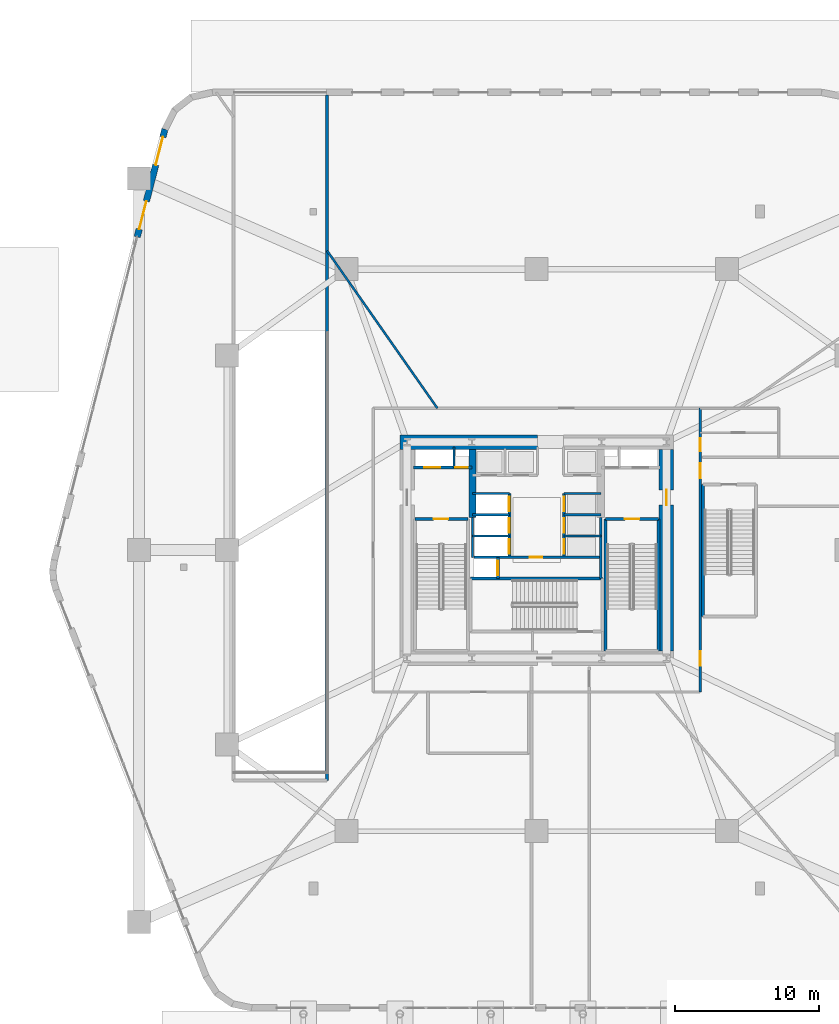
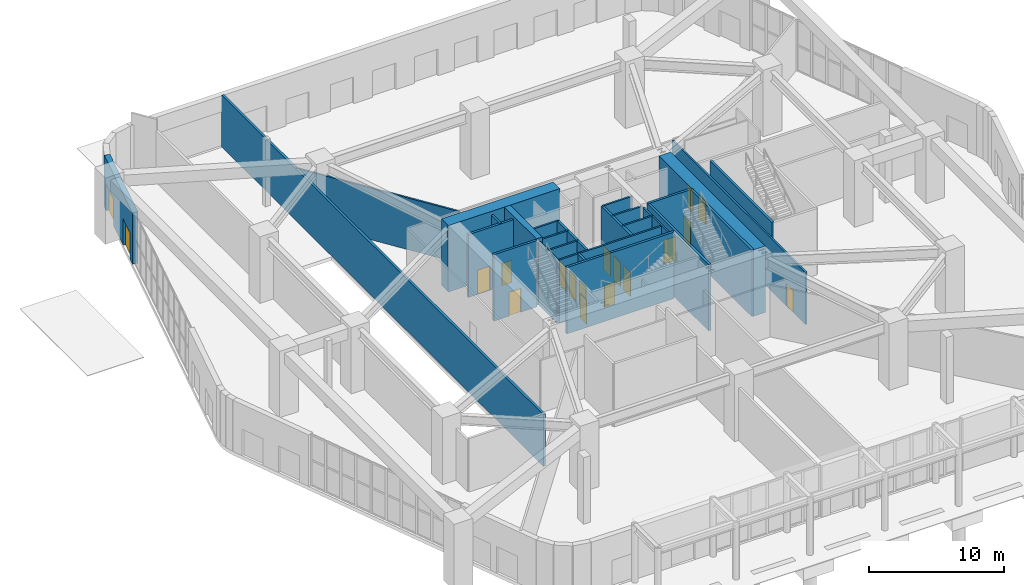
# One storey, part 25 of 35: 27 walls, 18 doors, 18 openings.
"""IFC4 building model written with IfcOpenShell, lengths in metres."""

from ifc_helpers import new_model, si_unit, direction, frame, frame_2d, origin, place, context, subcontext, project, spatial, rectangle, extrude, material, layer, layer_set, type_object, element, fill, save


model = new_model("IFC4")

# Units and contexts
model_context = context("Model", 3, precision=1e-05, world=origin(), true_north=direction((0.0, 1.0)))
body_context = subcontext(model_context, "Body", "Model", "MODEL_VIEW")
ifc_project = project(units=[si_unit("LENGTHUNIT", "METRE"), si_unit("AREAUNIT", "SQUARE_METRE"), si_unit("VOLUMEUNIT", "CUBIC_METRE"), si_unit("PLANEANGLEUNIT", "RADIAN"), si_unit("MASSUNIT", "GRAM", prefix="KILO")], contexts=[model_context])

# Site, building, storey
site_placement = place(None, origin())
site = spatial("IfcSite", under=ifc_project, at=site_placement, CompositionType="ELEMENT")
building_placement = place(site_placement, origin())
building = spatial("IfcBuilding", under=site, at=building_placement, Name="Kilnhurst Terrace Hotel", CompositionType="ELEMENT")
storey_placement = place(building_placement, origin())
storey = spatial("IfcBuildingStorey", under=building, at=storey_placement, Name="L00", CompositionType="ELEMENT", Elevation=0.0)

# Wall, openings, doors
ifc_material_1 = material(Name="Precast concrete C40/50", Category="concrete")
ifc_layer_1 = layer(ifc_material_1, 0.449951171875, Name="Precast concrete C40/50")
ifc_layer_set_1 = layer_set([ifc_layer_1], Name="Precast concrete C40/50")
wall_type_1 = type_object("IfcWallType", Name="WL-BRK-450", PredefinedType="SOLIDWALL", material=ifc_layer_set_1)
wall_1_placement = place(storey_placement, frame((-25.81298828125, 29.215576171875, 0.0), z_axis=(0.0, 0.0, 1.0), x_axis=(-0.248723131147, -0.968574624917, 0.0)))
wall_1 = element("IfcWall", 1, at=wall_1_placement, inside=storey, type_object=wall_type_1, Name="L00 Face 5 Brick Pier 1", PredefinedType="SOLIDWALL", context=body_context, shape_type="SweptSolid", body=[
    extrude(rectangle(XDim=7.718017578125, YDim=0.449951171875, at=frame_2d((3.85888671875, 0.0))), origin(), (0.0, 0.0, 1.0), 4.64990234375),
])
opening_1_placement = place(wall_1_placement, frame((0.556884765625, 0.0, 0.0)))
opening_1 = element("IfcOpeningElement", 2, at=opening_1_placement, cuts=wall_1, Name="Opening ED-20", PredefinedType="OPENING", context=body_context, shape_type="SweptSolid", body=[
    extrude(rectangle(XDim=2.0, YDim=2.39990234375, at=frame_2d((1.0, 1.199951171875))), frame((0.0, 0.23486328125, 0.0), z_axis=(0.0, -1.0, 0.0), x_axis=(1.0, 0.0, 0.0)), (0.0, 0.0, 1.0), 0.469970703125),
])
opening_2_placement = place(wall_1_placement, frame((5.160888671875, 0.0, 0.0)))
opening_2 = element("IfcOpeningElement", 3, at=opening_2_placement, cuts=wall_1, Name="Opening ED-21", PredefinedType="OPENING", context=body_context, shape_type="SweptSolid", body=[
    extrude(rectangle(XDim=2.0, YDim=2.39990234375, at=frame_2d((1.0, 1.199951171875))), frame((0.0, 0.23486328125, 0.0), z_axis=(0.0, -1.0, 0.0), x_axis=(1.0, 0.0, 0.0)), (0.0, 0.0, 1.0), 0.469970703125),
])
ifc_material_2 = material(Name="Thermally Broken Bronze Aluminium Alloy 6063-T6 and Laminated Glass", Category="aluminium")
door_type_1 = type_object("IfcDoorType", Name="DR-EXT-EXIT-2000", OperationType="NOTDEFINED", PredefinedType="DOOR", material=ifc_material_2)
door_1_placement = place(opening_1_placement, origin())
door_1 = element("IfcDoor", 4, at=door_1_placement, inside=storey, type_object=door_type_1, Name="L00 Street Exit Door ED-20", OperationType="DOUBLE_SWING_LEFT", OverallHeight=2.39990234375, OverallWidth=2.0, PredefinedType="DOOR", context=body_context, shape_type="SweptSolid", body=[
    extrude(rectangle(XDim=2.0, YDim=2.39990234375, at=frame_2d((1.0, 1.199951171875))), frame((0.0, 0.02490234375, 0.0), z_axis=(0.0, -1.0, 0.0), x_axis=(1.0, 0.0, 0.0)), (0.0, 0.0, 1.0), 0.050048828125),
])
fill(opening_1, door_1)
door_2_placement = place(opening_2_placement, origin())
door_2 = element("IfcDoor", 5, at=door_2_placement, inside=storey, type_object=door_type_1, Name="L00 Street Exit Door ED-21", OperationType="DOUBLE_SWING_LEFT", OverallHeight=2.39990234375, OverallWidth=2.0, PredefinedType="DOOR", context=body_context, shape_type="SweptSolid", body=[
    extrude(rectangle(XDim=2.0, YDim=2.39990234375, at=frame_2d((1.0, 1.199951171875))), frame((0.0, 0.02490234375, 0.0), z_axis=(0.0, -1.0, 0.0), x_axis=(1.0, 0.0, 0.0)), (0.0, 0.0, 1.0), 0.050048828125),
])
fill(opening_2, door_2)

ifc_material_3 = material(Name="Acoustic Double-Gypsum Corridor Partition Assembly")
ifc_layer_2 = layer(ifc_material_3, 0.14990234375, Name="Acoustic Double-Gypsum Corridor Partition Assembly")
ifc_layer_set_2 = layer_set([ifc_layer_2], Name="Acoustic Double-Gypsum Corridor Partition Assembly")
wall_type_2 = type_object("IfcWallType", Name="WL-COR-150", PredefinedType="PARTITIONING", material=ifc_layer_set_2)
wall_2_placement = place(storey_placement, frame((11.35009765625, 9.85009765625, 0.0), z_axis=(0.0, 0.0, 1.0), x_axis=(0.0, -1.0, 0.0)))
wall_2 = element("IfcWall", 6, at=wall_2_placement, inside=storey, type_object=wall_type_2, Name="L00 Interior Wall WL-L00-COR-03", PredefinedType="PARTITIONING", context=body_context, shape_type="SweptSolid", body=[
    extrude(rectangle(XDim=19.7001953125, YDim=0.14990234375, at=frame_2d((9.85009765625, 0.0))), origin(), (0.0, 0.0, 1.0), 4.721923828125),
])
opening_3_placement = place(wall_2_placement, frame((3.824951171875, 0.0, 0.0)))
opening_3 = element("IfcOpeningElement", 7, at=opening_3_placement, cuts=wall_2, Name="Opening D-90A", PredefinedType="OPENING", context=body_context, shape_type="SweptSolid", body=[
    extrude(rectangle(XDim=1.050048828125, YDim=2.14990234375, at=frame_2d((0.52490234375, 1.074951171875))), frame((0.0, 0.0849609375, 0.0), z_axis=(0.0, -1.0, 0.0), x_axis=(1.0, 0.0, 0.0)), (0.0, 0.0, 1.0), 0.169921875),
])
opening_4_placement = place(wall_2_placement, frame((2.10009765625, 0.0, 0.0)))
opening_4 = element("IfcOpeningElement", 8, at=opening_4_placement, cuts=wall_2, Name="Opening D-09B", PredefinedType="OPENING", context=body_context, shape_type="SweptSolid", body=[
    extrude(rectangle(XDim=0.89990234375, YDim=2.030029296875, at=frame_2d((0.449951171875, 1.01513671875))), frame((0.0, 0.0849609375, 0.0), z_axis=(0.0, -1.0, 0.0), x_axis=(1.0, 0.0, 0.0)), (0.0, 0.0, 1.0), 0.169921875),
])
opening_5_placement = place(wall_2_placement, frame((16.875, 0.0, 0.0)))
opening_5 = element("IfcOpeningElement", 9, at=opening_5_placement, cuts=wall_2, Name="Opening D-10A", PredefinedType="OPENING", context=body_context, shape_type="SweptSolid", body=[
    extrude(rectangle(XDim=1.0, YDim=2.030029296875, at=frame_2d((0.5, 1.01513671875))), frame((0.0, 0.0849609375, 0.0), z_axis=(0.0, -1.0, 0.0), x_axis=(1.0, 0.0, 0.0)), (0.0, 0.0, 1.0), 0.169921875),
])
ifc_material_4 = material(Name="Painted Hollow Metal Steel ASTM A36 Fire Door", Category="steel")
door_type_2 = type_object("IfcDoorType", Name="DR-FD90-1050", OperationType="NOTDEFINED", PredefinedType="DOOR", material=ifc_material_4)
door_3_placement = place(opening_3_placement, origin())
door_3 = element("IfcDoor", 10, at=door_3_placement, inside=storey, type_object=door_type_2, Name="L00 East Exit Passageway Door", OperationType="SINGLE_SWING_RIGHT", OverallHeight=2.14990234375, OverallWidth=1.050048828125, PredefinedType="DOOR", context=body_context, shape_type="SweptSolid", body=[
    extrude(rectangle(XDim=1.050048828125, YDim=2.14990234375, at=frame_2d((0.52490234375, 1.074951171875))), frame((0.0, 0.02490234375, 0.0), z_axis=(0.0, -1.0, 0.0), x_axis=(1.0, 0.0, 0.0)), (0.0, 0.0, 1.0), 0.050048828125),
])
fill(opening_3, door_3)
ifc_material_5 = material(Name="Solid-Core American White Oak Interior Door")
door_type_3 = type_object("IfcDoorType", Name="DR-INT-1000", OperationType="NOTDEFINED", PredefinedType="DOOR", material=ifc_material_5)
door_4_placement = place(opening_5_placement, origin())
door_4 = element("IfcDoor", 11, at=door_4_placement, inside=storey, type_object=door_type_3, Name="L00 Lobby Espresso Bar and Retail Boutique Door", OperationType="SINGLE_SWING_RIGHT", OverallHeight=2.030029296875, OverallWidth=1.0, PredefinedType="DOOR", context=body_context, shape_type="SweptSolid", body=[
    extrude(rectangle(XDim=1.0, YDim=2.030029296875, at=frame_2d((0.5, 1.01513671875))), frame((0.0, 0.02490234375, 0.0), z_axis=(0.0, -1.0, 0.0), x_axis=(1.0, 0.0, 0.0)), (0.0, 0.0, 1.0), 0.050048828125),
])
fill(opening_5, door_4)
ifc_material_6 = material(Name="Moisture-Resistant Solid-Core Restroom Door")
door_type_4 = type_object("IfcDoorType", Name="DR-INT-900", OperationType="NOTDEFINED", PredefinedType="DOOR", material=ifc_material_6)
door_5_placement = place(opening_4_placement, origin())
door_5 = element("IfcDoor", 12, at=door_5_placement, inside=storey, type_object=door_type_4, Name="L00 Public Restrooms Door", OperationType="SINGLE_SWING_LEFT", OverallHeight=2.030029296875, OverallWidth=0.89990234375, PredefinedType="DOOR", context=body_context, shape_type="SweptSolid", body=[
    extrude(rectangle(XDim=0.89990234375, YDim=2.030029296875, at=frame_2d((0.449951171875, 1.01513671875))), frame((0.0, 0.02490234375, 0.0), z_axis=(0.0, -1.0, 0.0), x_axis=(1.0, 0.0, 0.0)), (0.0, 0.0, 1.0), 0.050048828125),
])
fill(opening_4, door_5)

# Wall
ifc_material_7 = material(Name="Concrete C80/95", Category="concrete")
ifc_layer_3 = layer(ifc_material_7, 1.0, Name="Concrete C80/95")
ifc_layer_set_3 = layer_set([ifc_layer_3], Name="Concrete C80/95")
wall_type_3 = type_object("IfcWallType", Name="WL-CORE-1000", PredefinedType="SHEAR", material=ifc_layer_set_3)
wall_3_placement = place(storey_placement, frame((-9.5, 7.5, 0.0), z_axis=(0.0, 0.0, 1.0), x_axis=(1.0, 0.0, 0.0)))
element("IfcWall", 13, at=wall_3_placement, inside=storey, type_object=wall_type_3, Name="L00 Core North West Shear Wall", PredefinedType="SHEAR", context=body_context, shape_type="SweptSolid", body=[
    extrude(rectangle(XDim=9.550048828125, YDim=1.0, at=frame_2d((4.77490234375, 0.0))), origin(), (0.0, 0.0, 1.0), 6.0),
])

# Wall, opening, door
wall_4_placement = place(storey_placement, frame((9.0, -7.0, 0.0), z_axis=(0.0, 0.0, 1.0), x_axis=(0.0, 1.0, 0.0)))
wall_4 = element("IfcWall", 14, at=wall_4_placement, inside=storey, type_object=wall_type_3, Name="L00 Core East Shear Wall", PredefinedType="SHEAR", context=body_context, shape_type="SweptSolid", body=[
    extrude(rectangle(XDim=14.0, YDim=1.0, at=frame_2d((7.0, 0.0))), origin(), (0.0, 0.0, 1.0), 6.0),
])
opening_6_placement = place(wall_4_placement, frame((10.125, 0.0, 0.0)))
opening_6 = element("IfcOpeningElement", 15, at=opening_6_placement, cuts=wall_4, Name="Opening D-90A", PredefinedType="OPENING", context=body_context, shape_type="SweptSolid", body=[
    extrude(rectangle(XDim=1.050048828125, YDim=2.14990234375, at=frame_2d((0.52490234375, 1.074951171875))), frame((0.0, 0.510009765625, 0.0), z_axis=(0.0, -1.0, 0.0), x_axis=(1.0, 0.0, 0.0)), (0.0, 0.0, 1.0), 1.02001953125),
])
door_6_placement = place(opening_6_placement, origin())
door_6 = element("IfcDoor", 16, at=door_6_placement, inside=storey, type_object=door_type_2, Name="L00 East Firefighting Lobby Door", OperationType="SINGLE_SWING_LEFT", OverallHeight=2.14990234375, OverallWidth=1.050048828125, PredefinedType="DOOR", context=body_context, shape_type="SweptSolid", body=[
    extrude(rectangle(XDim=1.050048828125, YDim=2.14990234375, at=frame_2d((0.52490234375, 1.074951171875))), frame((0.0, 0.02490234375, 0.0), z_axis=(0.0, -1.0, 0.0), x_axis=(1.0, 0.0, 0.0)), (0.0, 0.0, 1.0), 0.050048828125),
])
fill(opening_6, door_6)

# Walls
ifc_material_8 = material(Name="Concrete C60/75", Category="concrete")
ifc_layer_4 = layer(ifc_material_8, 0.5, Name="Concrete C60/75")
ifc_layer_set_4 = layer_set([ifc_layer_4], Name="Concrete C60/75")
wall_type_4 = type_object("IfcWallType", Name="WL-CORE-WEB-500", PredefinedType="SHEAR", material=ifc_layer_set_4)
wall_5_placement = place(storey_placement, frame((-4.449951171875, 2.25, 0.0), z_axis=(0.0, 0.0, 1.0), x_axis=(0.0, 1.0, 0.0)))
element("IfcWall", 17, at=wall_5_placement, inside=storey, type_object=wall_type_4, Name="L00 Core Internal West Shear Web", PredefinedType="SHEAR", context=body_context, shape_type="SweptSolid", body=[
    extrude(rectangle(XDim=4.75, YDim=0.5, at=frame_2d((2.375, 0.0))), origin(), (0.0, 0.0, 1.0), 6.0),
])
ifc_material_9 = material(Name="150 mm Acoustic Gypsum Hospitality Partition")
ifc_layer_5 = layer(ifc_material_9, 0.14990234375, Name="150 mm Acoustic Gypsum Hospitality Partition")
ifc_layer_set_5 = layer_set([ifc_layer_5], Name="150 mm Acoustic Gypsum Hospitality Partition")
wall_type_5 = type_object("IfcWallType", Name="WL-PART-150", PredefinedType="PARTITIONING", material=ifc_layer_set_5)
wall_6_placement = place(storey_placement, frame((-6.89697265625, 9.85009765625, 0.0), z_axis=(0.0, 0.0, 1.0), x_axis=(-0.57358637099, 0.81914508789, 0.0)))
element("IfcWall", 18, at=wall_6_placement, inside=storey, type_object=wall_type_5, Name="L00 Interior Wall WL-L00-PDIV-4-1", PredefinedType="PARTITIONING", context=body_context, shape_type="SweptSolid", body=[
    extrude(rectangle(XDim=13.342529296875, YDim=0.14990234375, at=frame_2d((6.67138671875, 0.0))), origin(), (0.0, 0.0, 1.0), 4.669921875),
])
ifc_material_10 = material(Name="Fire-Rated Gypsum Shaftliner Assembly")
ifc_layer_6 = layer(ifc_material_10, 0.14990234375, Name="Fire-Rated Gypsum Shaftliner Assembly")
ifc_layer_set_6 = layer_set([ifc_layer_6], Name="Fire-Rated Gypsum Shaftliner Assembly")
wall_type_6 = type_object("IfcWallType", Name="WL-SHAFT-150", PredefinedType="PARTITIONING", material=ifc_layer_set_6)
wall_7_placement = place(storey_placement, frame((-5.75, 5.739990234375, 0.0), z_axis=(0.0, 0.0, 1.0), x_axis=(0.0, 1.0, 0.0)))
element("IfcWall", 19, at=wall_7_placement, inside=storey, type_object=wall_type_6, Name="L00 Interior Wall WL-L00-RIS1-DIV", PredefinedType="PARTITIONING", context=body_context, shape_type="SweptSolid", body=[
    extrude(rectangle(XDim=1.409912109375, YDim=0.14990234375, at=frame_2d((0.705078125, 0.0))), origin(), (0.0, 0.0, 1.0), 5.679931640625),
])
wall_8_placement = place(storey_placement, frame((-4.449951171875, -0.5, 0.0), z_axis=(0.0, 0.0, 1.0), x_axis=(0.0, 1.0, 0.0)))
element("IfcWall", 20, at=wall_8_placement, inside=storey, type_object=wall_type_6, Name="L00 Interior Wall WL-L00-XLOB-W", PredefinedType="PARTITIONING", context=body_context, shape_type="SweptSolid", body=[
    extrude(rectangle(XDim=2.75, YDim=0.14990234375, at=frame_2d((1.375, 0.0))), origin(), (0.0, 0.0, 1.0), 5.679931640625),
])
wall_9_placement = place(storey_placement, frame((4.449951171875, -1.971923828125, 0.0), z_axis=(0.0, 0.0, 1.0), x_axis=(0.0, 1.0, 0.0)))
element("IfcWall", 21, at=wall_9_placement, inside=storey, type_object=wall_type_6, Name="L00 Interior Wall WL-L00-XLOB-E", PredefinedType="PARTITIONING", context=body_context, shape_type="SweptSolid", body=[
    extrude(rectangle(XDim=4.221923828125, YDim=0.14990234375, at=frame_2d((2.11083984375, 0.0))), origin(), (0.0, 0.0, 1.0), 5.679931640625),
])
for number, where, z_axis, x_axis, name in (
    (22, (-4.449951171875, 3.93994140625, 0.0), (0.0, 0.0, 1.0), (1.0, 0.0, 0.0), "L00 Interior Wall WL-L00-LR-NORTH"),
    (23, (-4.449951171875, 0.97998046875, 0.0), (0.0, 0.0, 1.0), (1.0, 0.0, 0.0), "L00 Interior Wall WL-L00-LR-D1"),
    (24, (-4.449951171875, 2.4599609375, 0.0), (0.0, 0.0, 1.0), (1.0, 0.0, 0.0), "L00 Interior Wall WL-L00-LR-D2"),
    (25, (1.89990234375, 3.93994140625, 0.0), (0.0, 0.0, 1.0), (1.0, 0.0, 0.0), "L00 Interior Wall WL-L00-MR-NORTH"),
    (26, (1.89990234375, 0.97998046875, 0.0), (0.0, 0.0, 1.0), (1.0, 0.0, 0.0), "L00 Interior Wall WL-L00-MR-D1"),
    (27, (1.89990234375, 2.4599609375, 0.0), (0.0, 0.0, 1.0), (1.0, 0.0, 0.0), "L00 Interior Wall WL-L00-MR-D2"),
):
    element("IfcWall", number, at=place(storey_placement, frame(where, z_axis=z_axis, x_axis=x_axis)), inside=storey, type_object=wall_type_6, Name=name, PredefinedType="PARTITIONING", context=body_context, shape_type="SweptSolid", body=[
        extrude(rectangle(XDim=2.550048828125, YDim=0.14990234375, at=frame_2d((1.27490234375, 0.0))), origin(), (0.0, 0.0, 1.0), 5.679931640625),
    ])

# Wall, opening, door
wall_10_placement = place(storey_placement, frame((-4.360107421875, -0.489990234375, 0.0), z_axis=(0.0, 0.0, 1.0), x_axis=(1.0, 0.0, 0.0)))
wall_10 = element("IfcWall", 28, at=wall_10_placement, inside=storey, type_object=wall_type_6, Name="L00 Interior Wall WL-L00-BOH-N", PredefinedType="PARTITIONING", context=body_context, shape_type="SweptSolid", body=[
    extrude(rectangle(XDim=8.72021484375, YDim=0.14990234375, at=frame_2d((4.360107421875, 0.0))), origin(), (0.0, 0.0, 1.0), 5.679931640625),
])
opening_7_placement = place(wall_10_placement, frame((3.860107421875, 0.0, 0.0)))
opening_7 = element("IfcOpeningElement", 29, at=opening_7_placement, cuts=wall_10, Name="Opening D-60C", PredefinedType="OPENING", context=body_context, shape_type="SweptSolid", body=[
    extrude(rectangle(XDim=0.89990234375, YDim=2.030029296875, at=frame_2d((0.449951171875, 1.01513671875))), frame((0.0, 0.0849609375, 0.0), z_axis=(0.0, -1.0, 0.0), x_axis=(1.0, 0.0, 0.0)), (0.0, 0.0, 1.0), 0.169921875),
])
ifc_material_11 = material(Name="Painted Solid-Core Service Fire Door")
door_type_5 = type_object("IfcDoorType", Name="DR-FD60-900", OperationType="NOTDEFINED", PredefinedType="DOOR", material=ifc_material_11)
door_7_placement = place(opening_7_placement, origin())
door_7 = element("IfcDoor", 30, at=door_7_placement, inside=storey, type_object=door_type_5, Name="L00 Housekeeping Laundry Door", OperationType="SINGLE_SWING_LEFT", OverallHeight=2.030029296875, OverallWidth=0.89990234375, PredefinedType="DOOR", context=body_context, shape_type="SweptSolid", body=[
    extrude(rectangle(XDim=0.89990234375, YDim=2.030029296875, at=frame_2d((0.449951171875, 1.01513671875))), frame((0.0, 0.02490234375, 0.0), z_axis=(0.0, -1.0, 0.0), x_axis=(1.0, 0.0, 0.0)), (0.0, 0.0, 1.0), 0.050048828125),
])
fill(opening_7, door_7)

# Wall, openings, doors
ifc_material_12 = material(Name="Autoclaved Aerated Concrete C30/37 and Gypsum Shaft Assembly", Category="concrete")
ifc_layer_7 = layer(ifc_material_12, 0.199951171875, Name="Autoclaved Aerated Concrete C30/37 and Gypsum Shaft Assembly")
ifc_layer_set_7 = layer_set([ifc_layer_7], Name="Autoclaved Aerated Concrete C30/37 and Gypsum Shaft Assembly")
wall_type_7 = type_object("IfcWallType", Name="WL-SHAFT-200", PredefinedType="PARTITIONING", material=ifc_layer_set_7)
wall_11_placement = place(storey_placement, frame((-8.550048828125, 5.739990234375, 0.0), z_axis=(0.0, 0.0, 1.0), x_axis=(1.0, 0.0, 0.0)))
wall_11 = element("IfcWall", 31, at=wall_11_placement, inside=storey, type_object=wall_type_7, Name="L00 Interior Wall WL-L00-FSAE1-S", PredefinedType="PARTITIONING", context=body_context, shape_type="SweptSolid", body=[
    extrude(rectangle(XDim=4.050048828125, YDim=0.199951171875, at=frame_2d((2.02490234375, 0.0))), origin(), (0.0, 0.0, 1.0), 5.679931640625),
])
opening_8_placement = place(wall_11_placement, frame((0.75, 0.0, 0.0)))
opening_8 = element("IfcOpeningElement", 32, at=opening_8_placement, cuts=wall_11, Name="Opening LD-F1", PredefinedType="OPENING", context=body_context, shape_type="SweptSolid", body=[
    extrude(rectangle(XDim=1.10009765625, YDim=2.199951171875, at=frame_2d((0.550048828125, 1.10009765625))), frame((0.0, 0.10986328125, 0.0), z_axis=(0.0, -1.0, 0.0), x_axis=(1.0, 0.0, 0.0)), (0.0, 0.0, 1.0), 0.219970703125),
])
opening_9_placement = place(wall_11_placement, frame((2.89990234375, 0.0, 0.0)))
opening_9 = element("IfcOpeningElement", 33, at=opening_9_placement, cuts=wall_11, Name="Opening D-60D", PredefinedType="OPENING", context=body_context, shape_type="SweptSolid", body=[
    extrude(rectangle(XDim=0.85009765625, YDim=2.030029296875, at=frame_2d((0.425048828125, 1.01513671875))), frame((0.0, 0.10986328125, 0.0), z_axis=(0.0, -1.0, 0.0), x_axis=(1.0, 0.0, 0.0)), (0.0, 0.0, 1.0), 0.219970703125),
])
ifc_material_13 = material(Name="Painted Hollow Metal Steel ASTM A36 Riser Door", Category="steel")
door_type_6 = type_object("IfcDoorType", Name="DR-FD60-850", OperationType="NOTDEFINED", PredefinedType="DOOR", material=ifc_material_13)
door_8_placement = place(opening_9_placement, origin())
door_8 = element("IfcDoor", 34, at=door_8_placement, inside=storey, type_object=door_type_6, Name="L00 Electrical Riser Door", OperationType="SINGLE_SWING_LEFT", OverallHeight=2.030029296875, OverallWidth=0.85009765625, PredefinedType="DOOR", context=body_context, shape_type="SweptSolid", body=[
    extrude(rectangle(XDim=0.85009765625, YDim=2.030029296875, at=frame_2d((0.425048828125, 1.01513671875))), frame((0.0, 0.02490234375, 0.0), z_axis=(0.0, -1.0, 0.0), x_axis=(1.0, 0.0, 0.0)), (0.0, 0.0, 1.0), 0.050048828125),
])
fill(opening_9, door_8)
ifc_material_14 = material(Name="Bronze-Anodized Stainless Steel AISI 316L Sliding Door", Category="steel")
door_type_7 = type_object("IfcDoorType", Name="DR-LIFT-1100", OperationType="NOTDEFINED", PredefinedType="DOOR", material=ifc_material_14)
door_9_placement = place(opening_8_placement, origin())
door_9 = element("IfcDoor", 35, at=door_9_placement, inside=storey, type_object=door_type_7, Name="L00 FSAE-1 Landing Door", OperationType="SLIDING_TO_LEFT", OverallHeight=2.199951171875, OverallWidth=1.10009765625, PredefinedType="DOOR", context=body_context, shape_type="SweptSolid", body=[
    extrude(rectangle(XDim=1.10009765625, YDim=2.199951171875, at=frame_2d((0.550048828125, 1.10009765625))), frame((0.0, 0.02490234375, 0.0), z_axis=(0.0, -1.0, 0.0), x_axis=(1.0, 0.0, 0.0)), (0.0, 0.0, 1.0), 0.050048828125),
])
fill(opening_8, door_9)

# Wall, opening, door
wall_12_placement = place(storey_placement, frame((-2.699951171875, -1.971923828125, 0.0), z_axis=(0.0, 0.0, 1.0), x_axis=(0.0, 1.0, 0.0)))
wall_12 = element("IfcWall", 36, at=wall_12_placement, inside=storey, type_object=wall_type_7, Name="L00 Interior Wall WL-L00-SRV1-E", PredefinedType="PARTITIONING", context=body_context, shape_type="SweptSolid", body=[
    extrude(rectangle(XDim=1.471923828125, YDim=0.199951171875, at=frame_2d((0.73583984375, 0.0))), origin(), (0.0, 0.0, 1.0), 5.679931640625),
])
opening_10_placement = place(wall_12_placement, frame((0.239990234375, 0.0, 0.0)))
opening_10 = element("IfcOpeningElement", 37, at=opening_10_placement, cuts=wall_12, Name="Opening LD-SV", PredefinedType="OPENING", context=body_context, shape_type="SweptSolid", body=[
    extrude(rectangle(XDim=1.0, YDim=2.199951171875, at=frame_2d((0.5, 1.10009765625))), frame((0.0, 0.10986328125, 0.0), z_axis=(0.0, -1.0, 0.0), x_axis=(1.0, 0.0, 0.0)), (0.0, 0.0, 1.0), 0.219970703125),
])
door_type_8 = type_object("IfcDoorType", Name="DR-LIFT-1000", OperationType="NOTDEFINED", PredefinedType="DOOR", material=ifc_material_14)
door_10_placement = place(opening_10_placement, origin())
door_10 = element("IfcDoor", 38, at=door_10_placement, inside=storey, type_object=door_type_8, Name="L00 Service Lift SRV-1 Landing Door", OperationType="SLIDING_TO_LEFT", OverallHeight=2.199951171875, OverallWidth=1.0, PredefinedType="DOOR", context=body_context, shape_type="SweptSolid", body=[
    extrude(rectangle(XDim=1.0, YDim=2.199951171875, at=frame_2d((0.5, 1.10009765625))), frame((0.0, 0.02490234375, 0.0), z_axis=(0.0, -1.0, 0.0), x_axis=(1.0, 0.0, 0.0)), (0.0, 0.0, 1.0), 0.050048828125),
])
fill(opening_10, door_10)

# Wall, openings, doors
wall_13_placement = place(storey_placement, frame((-1.89990234375, -0.5, 0.0), z_axis=(0.0, 0.0, 1.0), x_axis=(0.0, 1.0, 0.0)))
wall_13 = element("IfcWall", 39, at=wall_13_placement, inside=storey, type_object=wall_type_7, Name="L00 Interior Wall WL-L00-LR-FRONT", PredefinedType="PARTITIONING", context=body_context, shape_type="SweptSolid", body=[
    extrude(rectangle(XDim=4.43994140625, YDim=0.199951171875, at=frame_2d((2.219970703125, 0.0))), origin(), (0.0, 0.0, 1.0), 5.679931640625),
])
opening_11_placement = place(wall_13_placement, frame((0.239990234375, 0.0, 0.0)))
opening_11 = element("IfcOpeningElement", 40, at=opening_11_placement, cuts=wall_13, Name="Opening LD-LR", PredefinedType="OPENING", context=body_context, shape_type="SweptSolid", body=[
    extrude(rectangle(XDim=1.0, YDim=2.199951171875, at=frame_2d((0.5, 1.10009765625))), frame((0.0, 0.10986328125, 0.0), z_axis=(0.0, -1.0, 0.0), x_axis=(1.0, 0.0, 0.0)), (0.0, 0.0, 1.0), 0.219970703125),
])
opening_12_placement = place(wall_13_placement, frame((1.719970703125, 0.0, 0.0)))
opening_12 = element("IfcOpeningElement", 41, at=opening_12_placement, cuts=wall_13, Name="Opening LD-LR", PredefinedType="OPENING", context=body_context, shape_type="SweptSolid", body=[
    extrude(rectangle(XDim=1.0, YDim=2.199951171875, at=frame_2d((0.5, 1.10009765625))), frame((0.0, 0.10986328125, 0.0), z_axis=(0.0, -1.0, 0.0), x_axis=(1.0, 0.0, 0.0)), (0.0, 0.0, 1.0), 0.219970703125),
])
opening_13_placement = place(wall_13_placement, frame((3.199951171875, 0.0, 0.0)))
opening_13 = element("IfcOpeningElement", 42, at=opening_13_placement, cuts=wall_13, Name="Opening LD-LR", PredefinedType="OPENING", context=body_context, shape_type="SweptSolid", body=[
    extrude(rectangle(XDim=1.0, YDim=2.199951171875, at=frame_2d((0.5, 1.10009765625))), frame((0.0, 0.10986328125, 0.0), z_axis=(0.0, -1.0, 0.0), x_axis=(1.0, 0.0, 0.0)), (0.0, 0.0, 1.0), 0.219970703125),
])
door_11_placement = place(opening_11_placement, origin())
door_11 = element("IfcDoor", 43, at=door_11_placement, inside=storey, type_object=door_type_8, Name="L00 Low Rise Lift LR-1 Landing Door", OperationType="SLIDING_TO_LEFT", OverallHeight=2.199951171875, OverallWidth=1.0, PredefinedType="DOOR", context=body_context, shape_type="SweptSolid", body=[
    extrude(rectangle(XDim=1.0, YDim=2.199951171875, at=frame_2d((0.5, 1.10009765625))), frame((0.0, 0.02490234375, 0.0), z_axis=(0.0, -1.0, 0.0), x_axis=(1.0, 0.0, 0.0)), (0.0, 0.0, 1.0), 0.050048828125),
])
fill(opening_11, door_11)
door_12_placement = place(opening_12_placement, origin())
door_12 = element("IfcDoor", 44, at=door_12_placement, inside=storey, type_object=door_type_8, Name="L00 Low Rise Lift LR-2 Landing Door", OperationType="SLIDING_TO_LEFT", OverallHeight=2.199951171875, OverallWidth=1.0, PredefinedType="DOOR", context=body_context, shape_type="SweptSolid", body=[
    extrude(rectangle(XDim=1.0, YDim=2.199951171875, at=frame_2d((0.5, 1.10009765625))), frame((0.0, 0.02490234375, 0.0), z_axis=(0.0, -1.0, 0.0), x_axis=(1.0, 0.0, 0.0)), (0.0, 0.0, 1.0), 0.050048828125),
])
fill(opening_12, door_12)
door_13_placement = place(opening_13_placement, origin())
door_13 = element("IfcDoor", 45, at=door_13_placement, inside=storey, type_object=door_type_8, Name="L00 Low Rise Lift LR-3 Landing Door", OperationType="SLIDING_TO_LEFT", OverallHeight=2.199951171875, OverallWidth=1.0, PredefinedType="DOOR", context=body_context, shape_type="SweptSolid", body=[
    extrude(rectangle(XDim=1.0, YDim=2.199951171875, at=frame_2d((0.5, 1.10009765625))), frame((0.0, 0.02490234375, 0.0), z_axis=(0.0, -1.0, 0.0), x_axis=(1.0, 0.0, 0.0)), (0.0, 0.0, 1.0), 0.050048828125),
])
fill(opening_13, door_13)

wall_14_placement = place(storey_placement, frame((1.89990234375, -0.5, 0.0), z_axis=(0.0, 0.0, 1.0), x_axis=(0.0, 1.0, 0.0)))
wall_14 = element("IfcWall", 46, at=wall_14_placement, inside=storey, type_object=wall_type_7, Name="L00 Interior Wall WL-L00-MR-FRONT", PredefinedType="PARTITIONING", context=body_context, shape_type="SweptSolid", body=[
    extrude(rectangle(XDim=4.43994140625, YDim=0.199951171875, at=frame_2d((2.219970703125, 0.0))), origin(), (0.0, 0.0, 1.0), 5.679931640625),
])
opening_14_placement = place(wall_14_placement, frame((0.239990234375, 0.0, 0.0)))
opening_14 = element("IfcOpeningElement", 47, at=opening_14_placement, cuts=wall_14, Name="Opening LD-MR", PredefinedType="OPENING", context=body_context, shape_type="SweptSolid", body=[
    extrude(rectangle(XDim=1.0, YDim=2.199951171875, at=frame_2d((0.5, 1.10009765625))), frame((0.0, 0.10986328125, 0.0), z_axis=(0.0, -1.0, 0.0), x_axis=(1.0, 0.0, 0.0)), (0.0, 0.0, 1.0), 0.219970703125),
])
opening_15_placement = place(wall_14_placement, frame((1.719970703125, 0.0, 0.0)))
opening_15 = element("IfcOpeningElement", 48, at=opening_15_placement, cuts=wall_14, Name="Opening LD-MR", PredefinedType="OPENING", context=body_context, shape_type="SweptSolid", body=[
    extrude(rectangle(XDim=1.0, YDim=2.199951171875, at=frame_2d((0.5, 1.10009765625))), frame((0.0, 0.10986328125, 0.0), z_axis=(0.0, -1.0, 0.0), x_axis=(1.0, 0.0, 0.0)), (0.0, 0.0, 1.0), 0.219970703125),
])
opening_16_placement = place(wall_14_placement, frame((3.199951171875, 0.0, 0.0)))
opening_16 = element("IfcOpeningElement", 49, at=opening_16_placement, cuts=wall_14, Name="Opening LD-MR", PredefinedType="OPENING", context=body_context, shape_type="SweptSolid", body=[
    extrude(rectangle(XDim=1.0, YDim=2.199951171875, at=frame_2d((0.5, 1.10009765625))), frame((0.0, 0.10986328125, 0.0), z_axis=(0.0, -1.0, 0.0), x_axis=(1.0, 0.0, 0.0)), (0.0, 0.0, 1.0), 0.219970703125),
])
door_14_placement = place(opening_14_placement, origin())
door_14 = element("IfcDoor", 50, at=door_14_placement, inside=storey, type_object=door_type_8, Name="L00 Mid Rise Lift MR-1 Landing Door", OperationType="SLIDING_TO_RIGHT", OverallHeight=2.199951171875, OverallWidth=1.0, PredefinedType="DOOR", context=body_context, shape_type="SweptSolid", body=[
    extrude(rectangle(XDim=1.0, YDim=2.199951171875, at=frame_2d((0.5, 1.10009765625))), frame((0.0, 0.02490234375, 0.0), z_axis=(0.0, -1.0, 0.0), x_axis=(1.0, 0.0, 0.0)), (0.0, 0.0, 1.0), 0.050048828125),
])
fill(opening_14, door_14)
door_15_placement = place(opening_15_placement, origin())
door_15 = element("IfcDoor", 51, at=door_15_placement, inside=storey, type_object=door_type_8, Name="L00 Mid Rise Lift MR-2 Landing Door", OperationType="SLIDING_TO_RIGHT", OverallHeight=2.199951171875, OverallWidth=1.0, PredefinedType="DOOR", context=body_context, shape_type="SweptSolid", body=[
    extrude(rectangle(XDim=1.0, YDim=2.199951171875, at=frame_2d((0.5, 1.10009765625))), frame((0.0, 0.02490234375, 0.0), z_axis=(0.0, -1.0, 0.0), x_axis=(1.0, 0.0, 0.0)), (0.0, 0.0, 1.0), 0.050048828125),
])
fill(opening_15, door_15)
door_16_placement = place(opening_16_placement, origin())
door_16 = element("IfcDoor", 52, at=door_16_placement, inside=storey, type_object=door_type_8, Name="L00 Mid Rise Lift MR-3 Landing Door", OperationType="SLIDING_TO_RIGHT", OverallHeight=2.199951171875, OverallWidth=1.0, PredefinedType="DOOR", context=body_context, shape_type="SweptSolid", body=[
    extrude(rectangle(XDim=1.0, YDim=2.199951171875, at=frame_2d((0.5, 1.10009765625))), frame((0.0, 0.02490234375, 0.0), z_axis=(0.0, -1.0, 0.0), x_axis=(1.0, 0.0, 0.0)), (0.0, 0.0, 1.0), 0.050048828125),
])
fill(opening_16, door_16)

# Wall
wall_15_placement = place(storey_placement, frame((-14.550048828125, -16.0, 0.0), z_axis=(0.0, 0.0, 1.0), x_axis=(0.0, 1.0, 0.0)))
element("IfcWall", 53, at=wall_15_placement, inside=storey, type_object=wall_type_7, Name="L00 Interior Wall WL-L00-RAMP-E", PredefinedType="PARTITIONING", context=body_context, shape_type="SweptSolid", body=[
    extrude(rectangle(XDim=47.60009765625, YDim=0.199951171875, at=frame_2d((23.800048828125, 0.0))), origin(), (0.0, 0.0, 1.0), 4.669921875),
])

# Wall, opening, door
ifc_material_15 = material(Name="Concrete C50/60", Category="concrete")
ifc_layer_8 = layer(ifc_material_15, 0.199951171875, Name="Concrete C50/60")
ifc_layer_set_8 = layer_set([ifc_layer_8], Name="Concrete C50/60")
wall_type_8 = type_object("IfcWallType", Name="WL-STAIR-RC-200", PredefinedType="SHEAR", material=ifc_layer_set_8)
wall_16_placement = place(storey_placement, frame((-8.4580078125, 2.157958984375, 0.0), z_axis=(0.0, 0.0, 1.0), x_axis=(1.0, 0.0, 0.0)))
wall_16 = element("IfcWall", 54, at=wall_16_placement, inside=storey, type_object=wall_type_8, Name="L00 Structural Stair Shaft Wall WL-L00-ST1-N", PredefinedType="SHEAR", context=body_context, shape_type="SweptSolid", body=[
    extrude(rectangle(XDim=3.68603515625, YDim=0.199951171875, at=frame_2d((1.843017578125, 0.0))), origin(), (0.0, 0.0, 1.0), 6.0),
])
opening_17_placement = place(wall_16_placement, frame((1.300048828125, 0.0, 0.0)))
opening_17 = element("IfcOpeningElement", 55, at=opening_17_placement, cuts=wall_16, Name="Opening D-90B", PredefinedType="OPENING", context=body_context, shape_type="SweptSolid", body=[
    extrude(rectangle(XDim=1.0, YDim=2.14990234375, at=frame_2d((0.5, 1.074951171875))), frame((0.0, 0.10986328125, 0.0), z_axis=(0.0, -1.0, 0.0), x_axis=(1.0, 0.0, 0.0)), (0.0, 0.0, 1.0), 0.219970703125),
])
door_type_9 = type_object("IfcDoorType", Name="DR-FD90-1000", OperationType="NOTDEFINED", PredefinedType="DOOR", material=ifc_material_4)
door_17_placement = place(opening_17_placement, origin())
door_17 = element("IfcDoor", 56, at=door_17_placement, inside=storey, type_object=door_type_9, Name="L00 Stair ST-1 Door", OperationType="SINGLE_SWING_LEFT", OverallHeight=2.14990234375, OverallWidth=1.0, PredefinedType="DOOR", context=body_context, shape_type="SweptSolid", body=[
    extrude(rectangle(XDim=1.0, YDim=2.14990234375, at=frame_2d((0.5, 1.074951171875))), frame((0.0, 0.02490234375, 0.0), z_axis=(0.0, -1.0, 0.0), x_axis=(1.0, 0.0, 0.0)), (0.0, 0.0, 1.0), 0.050048828125),
])
fill(opening_17, door_17)

# Walls
for number, where, z_axis, x_axis, name in (
    (57, (4.77197265625, -6.985107421875, 0.0), (0.0, 0.0, 1.0), (0.0, 1.0, 0.0), "L00 Structural Stair Shaft Wall WL-L00-ST2-W"),
    (58, (8.4580078125, -6.985107421875, 0.0), (0.0, 0.0, 1.0), (0.0, 1.0, 0.0), "L00 Structural Stair Shaft Wall WL-L00-ST2-E"),
):
    element("IfcWall", number, at=place(storey_placement, frame(where, z_axis=z_axis, x_axis=x_axis)), inside=storey, type_object=wall_type_8, Name=name, PredefinedType="SHEAR", context=body_context, shape_type="SweptSolid", body=[
        extrude(rectangle(XDim=9.14306640625, YDim=0.199951171875, at=frame_2d((4.571533203125, 0.0))), origin(), (0.0, 0.0, 1.0), 6.0),
    ])

# Wall, opening, door
wall_17_placement = place(storey_placement, frame((4.77197265625, 2.157958984375, 0.0), z_axis=(0.0, 0.0, 1.0), x_axis=(1.0, 0.0, 0.0)))
wall_17 = element("IfcWall", 59, at=wall_17_placement, inside=storey, type_object=wall_type_8, Name="L00 Structural Stair Shaft Wall WL-L00-ST2-N", PredefinedType="SHEAR", context=body_context, shape_type="SweptSolid", body=[
    extrude(rectangle(XDim=3.68603515625, YDim=0.199951171875, at=frame_2d((1.843017578125, 0.0))), origin(), (0.0, 0.0, 1.0), 6.0),
])
opening_18_placement = place(wall_17_placement, frame((1.35009765625, 0.0, 0.0)))
opening_18 = element("IfcOpeningElement", 60, at=opening_18_placement, cuts=wall_17, Name="Opening D-90B", PredefinedType="OPENING", context=body_context, shape_type="SweptSolid", body=[
    extrude(rectangle(XDim=1.0, YDim=2.14990234375, at=frame_2d((0.5, 1.074951171875))), frame((0.0, 0.10986328125, 0.0), z_axis=(0.0, -1.0, 0.0), x_axis=(1.0, 0.0, 0.0)), (0.0, 0.0, 1.0), 0.219970703125),
])
door_18_placement = place(opening_18_placement, origin())
door_18 = element("IfcDoor", 61, at=door_18_placement, inside=storey, type_object=door_type_9, Name="L00 Stair ST-2 Door", OperationType="SINGLE_SWING_RIGHT", OverallHeight=2.14990234375, OverallWidth=1.0, PredefinedType="DOOR", context=body_context, shape_type="SweptSolid", body=[
    extrude(rectangle(XDim=1.0, YDim=2.14990234375, at=frame_2d((0.5, 1.074951171875))), frame((0.0, 0.02490234375, 0.0), z_axis=(0.0, -1.0, 0.0), x_axis=(1.0, 0.0, 0.0)), (0.0, 0.0, 1.0), 0.050048828125),
])
fill(opening_18, door_18)

# Walls
for number, where, z_axis, x_axis, name in (
    (62, (-4.60791015625, -1.971923828125, 0.0), (0.0, 0.0, 1.0), (1.0, 0.0, 0.0), "L00 Structural Stair Shaft Wall WL-L00-ST3-N"),
    (63, (11.5419921875, -4.60791015625, 0.0), (0.0, 0.0, 1.0), (0.0, 1.0, 0.0), "L00 Podium Stair ST-4 Structural Shaft Wall WL-L00-ST4-W"),
):
    element("IfcWall", number, at=place(storey_placement, frame(where, z_axis=z_axis, x_axis=x_axis)), inside=storey, type_object=wall_type_8, Name=name, PredefinedType="SHEAR", context=body_context, shape_type="SweptSolid", body=[
        extrude(rectangle(XDim=9.166015625, YDim=0.199951171875, at=frame_2d((4.5830078125, 0.0))), origin(), (0.0, 0.0, 1.0), 6.0),
    ])

save(model, "model.ifc")
